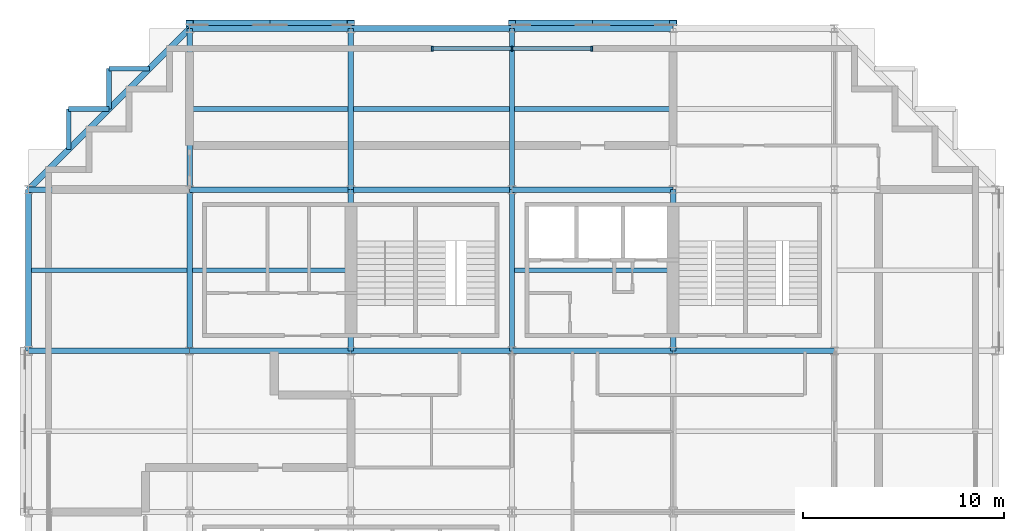
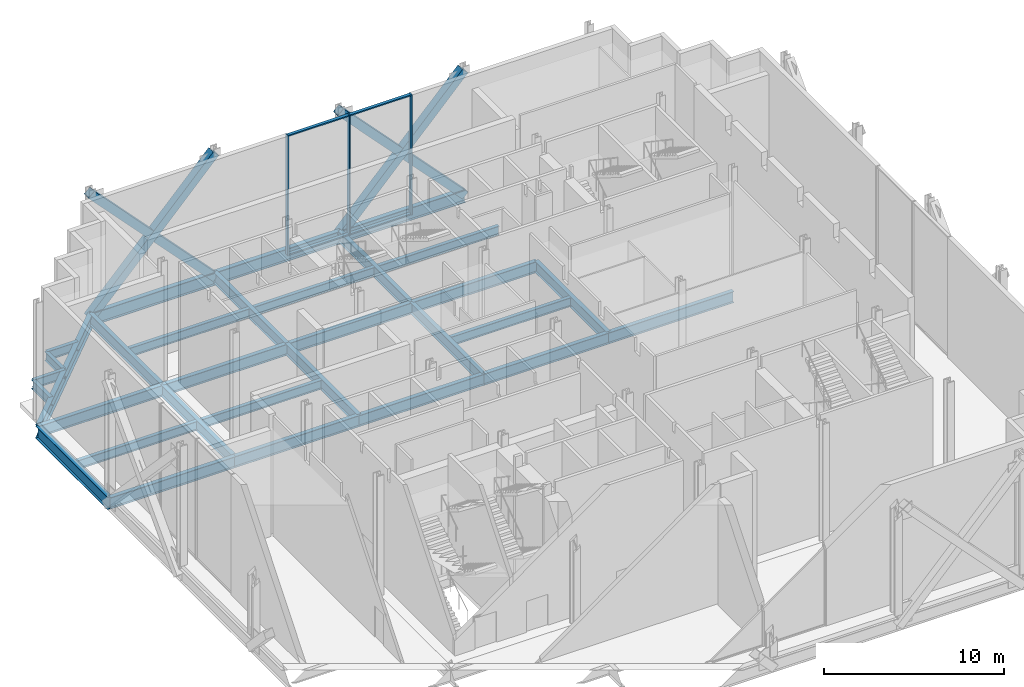
# One storey, part 5 of 13: 31 beams, 11 members, 1 element without a shape of its own.
"""IFC4 building model written with IfcOpenShell, lengths in metres."""

from ifc_helpers import new_model, si_unit, direction, frame, origin, origin_2d, place, context, subcontext, project, spatial, rectangle, hollow_rectangle, i_section, extrude, material, material_profile, profile_set, type_object, element, aggregate, save


model = new_model("IFC4")

# Units and contexts
model_context = context("Model", 3, precision=1e-05, world=origin(), true_north=direction((0.0, 1.0)))
body_context = subcontext(model_context, "Body", "Model", "MODEL_VIEW")
ifc_project = project(units=[si_unit("LENGTHUNIT", "METRE"), si_unit("AREAUNIT", "SQUARE_METRE"), si_unit("VOLUMEUNIT", "CUBIC_METRE"), si_unit("PLANEANGLEUNIT", "RADIAN"), si_unit("MASSUNIT", "GRAM", prefix="KILO")], contexts=[model_context])

# Site, building, storey
site_placement = place(None, origin())
site = spatial("IfcSite", under=ifc_project, at=site_placement, CompositionType="ELEMENT")
building_placement = place(site_placement, origin())
building = spatial("IfcBuilding", under=site, at=building_placement, Name="Immortelle Media Tower", CompositionType="ELEMENT")
storey_placement = place(building_placement, frame((0.0, 0.0, 21.0)))
storey = spatial("IfcBuildingStorey", under=building, at=storey_placement, Name="L02", CompositionType="ELEMENT", Elevation=21.0)

# Members
ifc_material_1 = material(Name="Steel ASTM A500 Gr C", Category="steel")
ifc_material_profile_1 = material_profile(ifc_material_1, hollow_rectangle(XDim=0.508056640625, YDim=0.508056640625, WallThickness=0.014892578125, at=origin_2d()), Name="HSS20x20x5/8 brace")
ifc_profile_set_1 = profile_set([ifc_material_profile_1], Name="Steel ASTM A500 Gr C")
member_type_1 = type_object("IfcMemberType", Name="HSS20x20x5/8 brace", PredefinedType="BRACE", material=ifc_profile_set_1)
for number, where, z_axis, x_axis, name in (
    (1, (32.0, 48.1640625, -0.7294921875), (-0.687508336852, 0.0, 0.726176484582), (0.0, -1.0, 0.0), "Brace G/4-5 A"),
    (2, (32.0, 48.1640625, 7.720458984375), (-0.687508336852, 0.0, -0.726176484582), (0.0, -1.0, 0.0), "Brace G/4-5 B"),
    (3, (16.0, 48.1640625, -0.7294921875), (-0.687508336852, 0.0, 0.726176484582), (0.0, -1.0, 0.0), "Brace G/2-3 A"),
    (4, (16.0, 48.1640625, 7.720458984375), (-0.687508336852, 0.0, -0.726176484582), (0.0, -1.0, 0.0), "Brace G/2-3 B"),
):
    element("IfcMember", number, at=place(storey_placement, frame(where, z_axis=z_axis, x_axis=x_axis)), inside=storey, type_object=member_type_1, Name=name, PredefinedType="BRACE", context=body_context, shape_type="SweptSolid", body=[
        extrude(hollow_rectangle(XDim=0.508056640625, YDim=0.508056640625, WallThickness=0.014892578125, at=origin_2d()), origin(), (0.0, 0.0, 1.0), 11.63623046875),
    ])

# Curtain wall, members
ifc_material_2 = material(Name="Aluminium curtain wall system", Category="aluminium")
curtain_wall_type = type_object("IfcCurtainWallType", Name="Media wall curtain wall", PredefinedType="NOTDEFINED", material=ifc_material_2)
curtain_wall_placement = place(storey_placement, origin())
curtain_wall = element("IfcCurtainWall", 5, at=curtain_wall_placement, inside=storey, type_object=curtain_wall_type, Name="Media wall L02 N 21-2", PredefinedType="NOTDEFINED")
ifc_material_3 = material(Name="Aluminium 6063-T6", Category="aluminium")
ifc_material_profile_2 = material_profile(ifc_material_3, rectangle(XDim=0.25, YDim=0.080078125, at=origin_2d()), Name="AL 80x250")
ifc_profile_set_2 = profile_set([ifc_material_profile_2], Name="Aluminium 6063-T6")
member_type_2 = type_object("IfcMemberType", Name="Media wall mullion 80 x 250", PredefinedType="MULLION", material=ifc_profile_set_2)
member_1_placement = place(storey_placement, frame((27.9599609375, 47.0, 0.0), z_axis=(0.0, 0.0, 1.0), x_axis=(0.0, -1.0, 0.0)))
member_1 = element("IfcMember", 6, at=member_1_placement, type_object=member_type_2, Name="CW3 mullion 1", PredefinedType="MULLION", context=body_context, shape_type="SweptSolid", body=[
    extrude(rectangle(XDim=0.25, YDim=0.080078125, at=origin_2d()), origin(), (0.0, 0.0, 1.0), 8.14990234375),
])
member_2_placement = place(storey_placement, frame((24.0, 47.0, 0.0), z_axis=(0.0, 0.0, 1.0), x_axis=(0.0, -1.0, 0.0)))
member_2 = element("IfcMember", 7, at=member_2_placement, type_object=member_type_2, Name="CW3 mullion 2", PredefinedType="MULLION", context=body_context, shape_type="SweptSolid", body=[
    extrude(rectangle(XDim=0.25, YDim=0.080078125, at=origin_2d()), origin(), (0.0, 0.0, 1.0), 8.14990234375),
])
member_3_placement = place(storey_placement, frame((20.0400390625, 47.0, 0.0), z_axis=(0.0, 0.0, 1.0), x_axis=(0.0, -1.0, 0.0)))
member_3 = element("IfcMember", 8, at=member_3_placement, type_object=member_type_2, Name="CW3 mullion 3", PredefinedType="MULLION", context=body_context, shape_type="SweptSolid", body=[
    extrude(rectangle(XDim=0.25, YDim=0.080078125, at=origin_2d()), origin(), (0.0, 0.0, 1.0), 8.14990234375),
])
ifc_material_profile_3 = material_profile(ifc_material_3, rectangle(XDim=0.199951171875, YDim=0.080078125, at=origin_2d()), Name="AL 80x200")
ifc_profile_set_3 = profile_set([ifc_material_profile_3], Name="Aluminium 6063-T6")
member_type_3 = type_object("IfcMemberType", Name="Media wall transom 80 x 200", PredefinedType="USERDEFINED", material=ifc_profile_set_3)
member_4_placement = place(storey_placement, frame((27.919921875, 47.0, 0.0400390625), z_axis=(-1.0, 0.0, 0.0), x_axis=(0.0, -1.0, 0.0)))
member_4 = element("IfcMember", 9, at=member_4_placement, type_object=member_type_3, Name="CW3 transom 1.1", ObjectType="TRANSOM", PredefinedType="USERDEFINED", context=body_context, shape_type="SweptSolid", body=[
    extrude(rectangle(XDim=0.199951171875, YDim=0.080078125, at=origin_2d()), origin(), (0.0, 0.0, 1.0), 3.8798828125),
])
member_5_placement = place(storey_placement, frame((27.919921875, 47.0, 8.110107421875), z_axis=(-1.0, 0.0, 0.0), x_axis=(0.0, -1.0, 0.0)))
member_5 = element("IfcMember", 10, at=member_5_placement, type_object=member_type_3, Name="CW3 transom 1.2", ObjectType="TRANSOM", PredefinedType="USERDEFINED", context=body_context, shape_type="SweptSolid", body=[
    extrude(rectangle(XDim=0.199951171875, YDim=0.080078125, at=origin_2d()), origin(), (0.0, 0.0, 1.0), 3.8798828125),
])
member_6_placement = place(storey_placement, frame((23.9599609375, 47.0, 0.0400390625), z_axis=(-1.0, 0.0, 0.0), x_axis=(0.0, -1.0, 0.0)))
member_6 = element("IfcMember", 11, at=member_6_placement, type_object=member_type_3, Name="CW3 transom 2.1", ObjectType="TRANSOM", PredefinedType="USERDEFINED", context=body_context, shape_type="SweptSolid", body=[
    extrude(rectangle(XDim=0.199951171875, YDim=0.080078125, at=origin_2d()), origin(), (0.0, 0.0, 1.0), 3.8798828125),
])
member_7_placement = place(storey_placement, frame((23.9599609375, 47.0, 8.110107421875), z_axis=(-1.0, 0.0, 0.0), x_axis=(0.0, -1.0, 0.0)))
member_7 = element("IfcMember", 12, at=member_7_placement, type_object=member_type_3, Name="CW3 transom 2.2", ObjectType="TRANSOM", PredefinedType="USERDEFINED", context=body_context, shape_type="SweptSolid", body=[
    extrude(rectangle(XDim=0.199951171875, YDim=0.080078125, at=origin_2d()), origin(), (0.0, 0.0, 1.0), 3.8798828125),
])
aggregate(curtain_wall, [member_1, member_2, member_3, member_4, member_5, member_6, member_7])

# Beams
ifc_material_4 = material(Name="Steel ASTM A992 Gr 50", Category="steel")
ifc_material_profile_4 = material_profile(ifc_material_4, i_section(OverallWidth=0.22900390625, OverallDepth=0.612060546875, WebThickness=0.011962890625, FlangeThickness=0.02001953125, at=origin_2d()), Name="W24x84")
ifc_profile_set_4 = profile_set([ifc_material_profile_4], Name="Steel ASTM A992 Gr 50")
beam_type_1 = type_object("IfcBeamType", Name="W24x84 secondary beam", PredefinedType="JOIST", material=ifc_profile_set_4)
beam_1_placement = place(storey_placement, frame((0.14599609375, 36.0, -0.60595703125), z_axis=(1.0, 0.0, 0.0), x_axis=(0.0, 1.0, 0.0)))
element("IfcBeam", 13, at=beam_1_placement, inside=storey, type_object=beam_type_1, Name="Beam E-F/1-2", PredefinedType="JOIST", context=body_context, shape_type="SweptSolid", body=[
    extrude(i_section(OverallWidth=0.22900390625, OverallDepth=0.612060546875, WebThickness=0.011962890625, FlangeThickness=0.02001953125, at=origin_2d()), origin(), (0.0, 0.0, 1.0), 7.720458984375),
])
for number, where, z_axis, x_axis, name in (
    (14, (8.133544921875, 36.0, -0.60595703125), (1.0, 0.0, 0.0), (0.0, 1.0, 0.0), "Beam E-F/2-3"),
    (15, (24.133544921875, 36.0, -0.60595703125), (1.0, 0.0, 0.0), (0.0, 1.0, 0.0), "Beam E-F/4-5"),
    (16, (8.133544921875, 44.0, -0.60595703125), (1.0, 0.0, 0.0), (0.0, 1.0, 0.0), "Beam F-G/2-3"),
    (17, (16.133544921875, 44.0, -0.60595703125), (1.0, 0.0, 0.0), (0.0, 1.0, 0.0), "Beam F-G/3-4"),
    (18, (24.133544921875, 44.0, -0.60595703125), (1.0, 0.0, 0.0), (0.0, 1.0, 0.0), "Beam F-G/4-5"),
):
    element("IfcBeam", number, at=place(storey_placement, frame(where, z_axis=z_axis, x_axis=x_axis)), inside=storey, type_object=beam_type_1, Name=name, PredefinedType="JOIST", context=body_context, shape_type="SweptSolid", body=[
        extrude(i_section(OverallWidth=0.22900390625, OverallDepth=0.612060546875, WebThickness=0.011962890625, FlangeThickness=0.02001953125, at=origin_2d()), origin(), (0.0, 0.0, 1.0), 7.73291015625),
    ])
ifc_material_profile_5 = material_profile(ifc_material_4, i_section(OverallWidth=0.22900390625, OverallDepth=0.612060546875, WebThickness=0.011962890625, FlangeThickness=0.02001953125, at=origin_2d()), Name="W24x84")
ifc_profile_set_5 = profile_set([ifc_material_profile_5], Name="Steel ASTM A992 Gr 50")
beam_type_2 = type_object("IfcBeamType", Name="W24x84 serration edge beam", PredefinedType="SPANDREL", material=ifc_profile_set_5)
for number, where, z_axis, x_axis, name in (
    (19, (2.0, 42.0, -0.60595703125), (0.0, 1.0, 0.0), (-1.0, 0.0, 0.0), "Corner edge beam 1 at 1/G"),
    (20, (2.0, 44.0, -0.60595703125), (1.0, 0.0, 0.0), (0.0, 1.0, 0.0), "Corner edge beam 2 at 1/G"),
    (21, (4.0, 44.0, -0.60595703125), (0.0, 1.0, 0.0), (-1.0, 0.0, 0.0), "Corner edge beam 3 at 1/G"),
    (22, (4.0, 46.0, -0.60595703125), (1.0, 0.0, 0.0), (0.0, 1.0, 0.0), "Corner edge beam 4 at 1/G"),
):
    element("IfcBeam", number, at=place(storey_placement, frame(where, z_axis=z_axis, x_axis=x_axis)), inside=storey, type_object=beam_type_2, Name=name, PredefinedType="SPANDREL", context=body_context, shape_type="SweptSolid", body=[
        extrude(i_section(OverallWidth=0.22900390625, OverallDepth=0.612060546875, WebThickness=0.011962890625, FlangeThickness=0.02001953125, at=origin_2d()), origin(), (0.0, 0.0, 1.0), 2.0),
    ])
ifc_material_profile_6 = material_profile(ifc_material_4, i_section(OverallWidth=0.26708984375, OverallDepth=0.761962890625, WebThickness=0.013916015625, FlangeThickness=0.02197265625, at=origin_2d()), Name="W30x116")
ifc_profile_set_6 = profile_set([ifc_material_profile_6], Name="Steel ASTM A992 Gr 50")
beam_type_3 = type_object("IfcBeamType", Name="W30x116 girder", PredefinedType="BEAM", material=ifc_profile_set_6)
for number, where, z_axis, x_axis, name in (
    (23, (0.0, 32.0, -0.680908203125), (1.0, 0.0, 0.0), (0.0, 1.0, 0.0), "Girder E/1-2"),
    (24, (0.0, 40.0, -0.680908203125), (1.0, 0.0, 0.0), (0.0, 1.0, 0.0), "Girder F/1-2"),
    (25, (8.0, 32.0, -0.680908203125), (1.0, 0.0, 0.0), (0.0, 1.0, 0.0), "Girder E/2-3"),
    (26, (8.0, 32.0, -0.680908203125), (0.0, 1.0, 0.0), (-1.0, 0.0, 0.0), "Girder 2/E-F"),
    (27, (8.0, 40.0, -0.680908203125), (1.0, 0.0, 0.0), (0.0, 1.0, 0.0), "Girder F/2-3"),
    (28, (8.0, 40.0, -0.680908203125), (0.0, 1.0, 0.0), (-1.0, 0.0, 0.0), "Girder 2/F-G"),
    (29, (16.0, 32.0, -0.680908203125), (1.0, 0.0, 0.0), (0.0, 1.0, 0.0), "Girder E/3-4"),
    (30, (16.0, 32.0, -0.680908203125), (0.0, 1.0, 0.0), (-1.0, 0.0, 0.0), "Girder 3/E-F"),
    (31, (16.0, 40.0, -0.680908203125), (1.0, 0.0, 0.0), (0.0, 1.0, 0.0), "Girder F/3-4"),
    (32, (16.0, 40.0, -0.680908203125), (0.0, 1.0, 0.0), (-1.0, 0.0, 0.0), "Girder 3/F-G"),
    (33, (24.0, 32.0, -0.680908203125), (1.0, 0.0, 0.0), (0.0, 1.0, 0.0), "Girder E/4-5"),
    (34, (24.0, 32.0, -0.680908203125), (0.0, 1.0, 0.0), (-1.0, 0.0, 0.0), "Girder 4/E-F"),
    (35, (24.0, 40.0, -0.680908203125), (1.0, 0.0, 0.0), (0.0, 1.0, 0.0), "Girder F/4-5"),
    (36, (24.0, 40.0, -0.680908203125), (0.0, 1.0, 0.0), (-1.0, 0.0, 0.0), "Girder 4/F-G"),
    (37, (32.0, 32.0, -0.680908203125), (1.0, 0.0, 0.0), (0.0, 1.0, 0.0), "Girder E/5-6"),
    (38, (32.0, 32.0, -0.680908203125), (0.0, 1.0, 0.0), (-1.0, 0.0, 0.0), "Girder 5/E-F"),
):
    element("IfcBeam", number, at=place(storey_placement, frame(where, z_axis=z_axis, x_axis=x_axis)), inside=storey, type_object=beam_type_3, Name=name, PredefinedType="BEAM", context=body_context, shape_type="SweptSolid", body=[
        extrude(i_section(OverallWidth=0.26708984375, OverallDepth=0.761962890625, WebThickness=0.013916015625, FlangeThickness=0.02197265625, at=origin_2d()), origin(), (0.0, 0.0, 1.0), 8.0),
    ])
ifc_material_profile_7 = material_profile(ifc_material_4, i_section(OverallWidth=0.2919921875, OverallDepth=0.85888671875, WebThickness=0.01708984375, FlangeThickness=0.031005859375, at=origin_2d()), Name="W33x169")
ifc_profile_set_7 = profile_set([ifc_material_profile_7], Name="Steel ASTM A992 Gr 50")
beam_type_4 = type_object("IfcBeamType", Name="W33x169 perimeter girder", PredefinedType="SPANDREL", material=ifc_profile_set_7)
for number, where, z_axis, x_axis, name in (
    (39, (0.0, 32.0, -0.7294921875), (0.0, 1.0, 0.0), (-1.0, 0.0, 0.0), "Girder 1/E-F"),
    (40, (8.0, 48.0, -0.7294921875), (1.0, 0.0, 0.0), (0.0, 1.0, 0.0), "Girder G/2-3"),
    (41, (16.0, 48.0, -0.7294921875), (1.0, 0.0, 0.0), (0.0, 1.0, 0.0), "Girder G/3-4"),
    (42, (24.0, 48.0, -0.7294921875), (1.0, 0.0, 0.0), (0.0, 1.0, 0.0), "Girder G/4-5"),
):
    element("IfcBeam", number, at=place(storey_placement, frame(where, z_axis=z_axis, x_axis=x_axis)), inside=storey, type_object=beam_type_4, Name=name, PredefinedType="SPANDREL", context=body_context, shape_type="SweptSolid", body=[
        extrude(i_section(OverallWidth=0.2919921875, OverallDepth=0.85888671875, WebThickness=0.01708984375, FlangeThickness=0.031005859375, at=origin_2d()), origin(), (0.0, 0.0, 1.0), 8.0),
    ])
ifc_material_profile_8 = material_profile(ifc_material_4, i_section(OverallWidth=0.306884765625, OverallDepth=0.927001953125, WebThickness=0.01904296875, FlangeThickness=0.031982421875, at=origin_2d()), Name="W36x194")
ifc_profile_set_8 = profile_set([ifc_material_profile_8], Name="Steel ASTM A992 Gr 50")
beam_type_5 = type_object("IfcBeamType", Name="W36x194 corner girder", PredefinedType="SPANDREL", material=ifc_profile_set_8)
beam_2_placement = place(storey_placement, frame((0.0, 40.0, -0.763427734375), z_axis=(0.707106781187, 0.707106781187, 0.0), x_axis=(-0.707106781187, 0.707106781187, 0.0)))
element("IfcBeam", 43, at=beam_2_placement, inside=storey, type_object=beam_type_5, Name="Corner girder at 1/G", PredefinedType="SPANDREL", context=body_context, shape_type="SweptSolid", body=[
    extrude(i_section(OverallWidth=0.306884765625, OverallDepth=0.927001953125, WebThickness=0.01904296875, FlangeThickness=0.031982421875, at=origin_2d()), origin(), (0.0, 0.0, 1.0), 11.313720703125),
])

save(model, "model.ifc")
